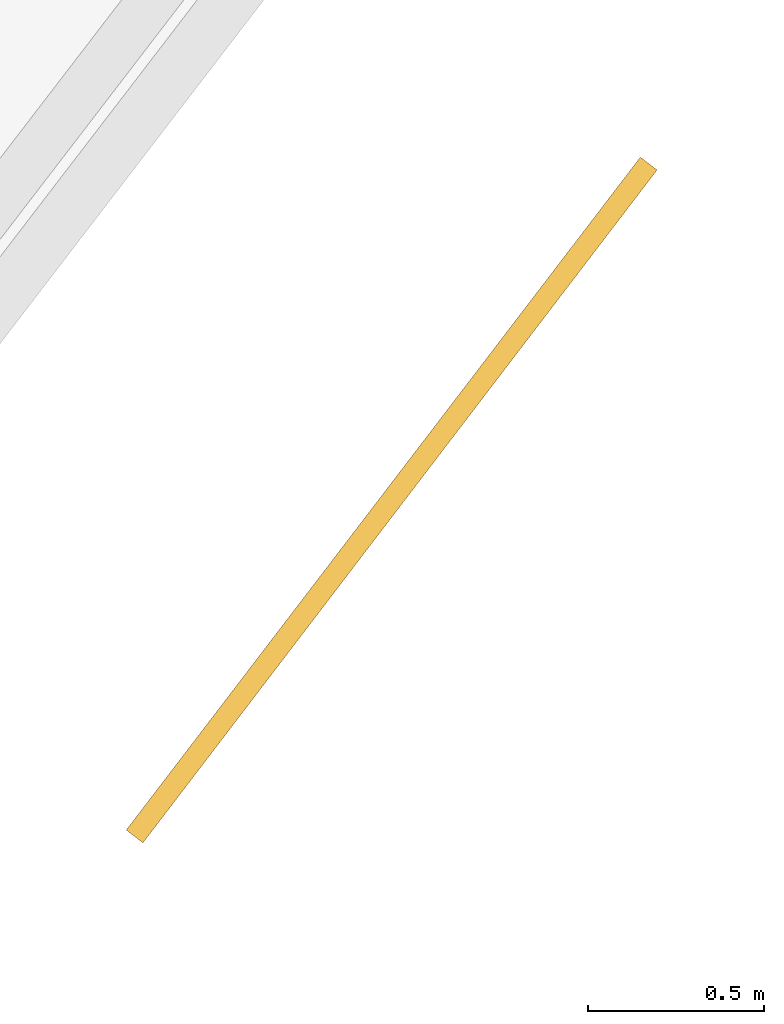
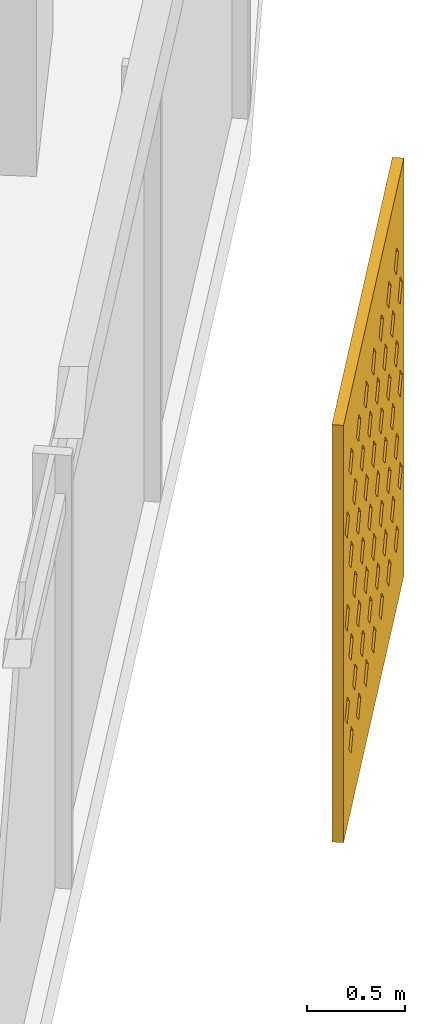
# One storey, part 31 of 31: 1 shading device.
"""IFC4 building model written with IfcOpenShell, lengths in metres."""

from ifc_helpers import new_model, si_unit, direction, frame, origin, place, context, subcontext, project, spatial, polyline, outline, extrude, material, material_profile, profile_set, type_object, element, save


model = new_model("IFC4")

# Units and contexts
model_context = context("Model", 3, precision=1e-05, world=origin(), true_north=direction((0.0, 1.0)))
body_context = subcontext(model_context, "Body", "Model", "MODEL_VIEW")
ifc_project = project(units=[si_unit("LENGTHUNIT", "METRE"), si_unit("AREAUNIT", "SQUARE_METRE"), si_unit("VOLUMEUNIT", "CUBIC_METRE"), si_unit("PLANEANGLEUNIT", "RADIAN"), si_unit("MASSUNIT", "GRAM", prefix="KILO")], contexts=[model_context])

# Site, building, storey
site_placement = place(None, origin())
site = spatial("IfcSite", under=ifc_project, at=site_placement, CompositionType="ELEMENT")
building_placement = place(site_placement, origin())
building = spatial("IfcBuilding", under=site, at=building_placement, Name="Qamariyya Broadcast Tower", CompositionType="ELEMENT")
storey_placement = place(building_placement, frame((0.0, 0.0, 74.699951171875)))
storey = spatial("IfcBuildingStorey", under=building, at=storey_placement, Name="L15", CompositionType="ELEMENT", Elevation=74.699951171875)

# Shading device
ifc_material = material(Name="Perforated glazed terracotta", Category="masonry")
ifc_material_profile = material_profile(ifc_material, outline(polyline([(-1.199951171875, -1.300048828125), (1.199951171875, -1.300048828125), (1.199951171875, 1.300048828125), (-1.199951171875, 1.300048828125), (-1.199951171875, -1.300048828125)]), holes=[polyline([(-0.81494140625, -0.86669921875), (-0.89990234375, -0.78173828125), (-0.985107421875, -0.86669921875), (-0.89990234375, -0.95166015625), (-0.81494140625, -0.86669921875)]), polyline([(-0.514892578125, -0.86669921875), (-0.60009765625, -0.78173828125), (-0.68505859375, -0.86669921875), (-0.60009765625, -0.95166015625), (-0.514892578125, -0.86669921875)]), polyline([(-0.215087890625, -0.86669921875), (-0.300048828125, -0.78173828125), (-0.385009765625, -0.86669921875), (-0.300048828125, -0.95166015625), (-0.215087890625, -0.86669921875)]), polyline([(0.0849609375, -0.86669921875), (0.0, -0.78173828125), (-0.0849609375, -0.86669921875), (0.0, -0.95166015625), (0.0849609375, -0.86669921875)]), polyline([(0.385009765625, -0.86669921875), (0.300048828125, -0.78173828125), (0.215087890625, -0.86669921875), (0.300048828125, -0.95166015625), (0.385009765625, -0.86669921875)]), polyline([(0.68505859375, -0.86669921875), (0.60009765625, -0.78173828125), (0.514892578125, -0.86669921875), (0.60009765625, -0.95166015625), (0.68505859375, -0.86669921875)]), polyline([(0.985107421875, -0.86669921875), (0.89990234375, -0.78173828125), (0.81494140625, -0.86669921875), (0.89990234375, -0.95166015625), (0.985107421875, -0.86669921875)]), polyline([(-0.965087890625, -0.577880859375), (-1.050048828125, -0.49267578125), (-1.135009765625, -0.577880859375), (-1.050048828125, -0.662841796875), (-0.965087890625, -0.577880859375)]), polyline([(-0.6650390625, -0.577880859375), (-0.75, -0.49267578125), (-0.8349609375, -0.577880859375), (-0.75, -0.662841796875), (-0.6650390625, -0.577880859375)]), polyline([(-0.364990234375, -0.577880859375), (-0.449951171875, -0.49267578125), (-0.534912109375, -0.577880859375), (-0.449951171875, -0.662841796875), (-0.364990234375, -0.577880859375)]), polyline([(-0.06494140625, -0.577880859375), (-0.14990234375, -0.49267578125), (-0.235107421875, -0.577880859375), (-0.14990234375, -0.662841796875), (-0.06494140625, -0.577880859375)]), polyline([(0.235107421875, -0.577880859375), (0.14990234375, -0.49267578125), (0.06494140625, -0.577880859375), (0.14990234375, -0.662841796875), (0.235107421875, -0.577880859375)]), polyline([(0.534912109375, -0.577880859375), (0.449951171875, -0.49267578125), (0.364990234375, -0.577880859375), (0.449951171875, -0.662841796875), (0.534912109375, -0.577880859375)]), polyline([(0.8349609375, -0.577880859375), (0.75, -0.49267578125), (0.6650390625, -0.577880859375), (0.75, -0.662841796875), (0.8349609375, -0.577880859375)]), polyline([(1.135009765625, -0.577880859375), (1.050048828125, -0.49267578125), (0.965087890625, -0.577880859375), (1.050048828125, -0.662841796875), (1.135009765625, -0.577880859375)]), polyline([(-0.81494140625, -0.288818359375), (-0.89990234375, -0.203857421875), (-0.985107421875, -0.288818359375), (-0.89990234375, -0.373779296875), (-0.81494140625, -0.288818359375)]), polyline([(-0.514892578125, -0.288818359375), (-0.60009765625, -0.203857421875), (-0.68505859375, -0.288818359375), (-0.60009765625, -0.373779296875), (-0.514892578125, -0.288818359375)]), polyline([(-0.215087890625, -0.288818359375), (-0.300048828125, -0.203857421875), (-0.385009765625, -0.288818359375), (-0.300048828125, -0.373779296875), (-0.215087890625, -0.288818359375)]), polyline([(0.0849609375, -0.288818359375), (0.0, -0.203857421875), (-0.0849609375, -0.288818359375), (0.0, -0.373779296875), (0.0849609375, -0.288818359375)]), polyline([(0.385009765625, -0.288818359375), (0.300048828125, -0.203857421875), (0.215087890625, -0.288818359375), (0.300048828125, -0.373779296875), (0.385009765625, -0.288818359375)]), polyline([(0.68505859375, -0.288818359375), (0.60009765625, -0.203857421875), (0.514892578125, -0.288818359375), (0.60009765625, -0.373779296875), (0.68505859375, -0.288818359375)]), polyline([(0.985107421875, -0.288818359375), (0.89990234375, -0.203857421875), (0.81494140625, -0.288818359375), (0.89990234375, -0.373779296875), (0.985107421875, -0.288818359375)]), polyline([(-0.965087890625, 0.0), (-1.050048828125, 0.0849609375), (-1.135009765625, 0.0), (-1.050048828125, -0.0849609375), (-0.965087890625, 0.0)]), polyline([(-0.6650390625, 0.0), (-0.75, 0.0849609375), (-0.8349609375, 0.0), (-0.75, -0.0849609375), (-0.6650390625, 0.0)]), polyline([(-0.364990234375, 0.0), (-0.449951171875, 0.0849609375), (-0.534912109375, 0.0), (-0.449951171875, -0.0849609375), (-0.364990234375, 0.0)]), polyline([(-0.06494140625, 0.0), (-0.14990234375, 0.0849609375), (-0.235107421875, 0.0), (-0.14990234375, -0.0849609375), (-0.06494140625, 0.0)]), polyline([(0.235107421875, 0.0), (0.14990234375, 0.0849609375), (0.06494140625, 0.0), (0.14990234375, -0.0849609375), (0.235107421875, 0.0)]), polyline([(0.534912109375, 0.0), (0.449951171875, 0.0849609375), (0.364990234375, 0.0), (0.449951171875, -0.0849609375), (0.534912109375, 0.0)]), polyline([(0.8349609375, 0.0), (0.75, 0.0849609375), (0.6650390625, 0.0), (0.75, -0.0849609375), (0.8349609375, 0.0)]), polyline([(1.135009765625, 0.0), (1.050048828125, 0.0849609375), (0.965087890625, 0.0), (1.050048828125, -0.0849609375), (1.135009765625, 0.0)]), polyline([(-0.81494140625, 0.288818359375), (-0.89990234375, 0.373779296875), (-0.985107421875, 0.288818359375), (-0.89990234375, 0.203857421875), (-0.81494140625, 0.288818359375)]), polyline([(-0.514892578125, 0.288818359375), (-0.60009765625, 0.373779296875), (-0.68505859375, 0.288818359375), (-0.60009765625, 0.203857421875), (-0.514892578125, 0.288818359375)]), polyline([(-0.215087890625, 0.288818359375), (-0.300048828125, 0.373779296875), (-0.385009765625, 0.288818359375), (-0.300048828125, 0.203857421875), (-0.215087890625, 0.288818359375)]), polyline([(0.0849609375, 0.288818359375), (0.0, 0.373779296875), (-0.0849609375, 0.288818359375), (0.0, 0.203857421875), (0.0849609375, 0.288818359375)]), polyline([(0.385009765625, 0.288818359375), (0.300048828125, 0.373779296875), (0.215087890625, 0.288818359375), (0.300048828125, 0.203857421875), (0.385009765625, 0.288818359375)]), polyline([(0.68505859375, 0.288818359375), (0.60009765625, 0.373779296875), (0.514892578125, 0.288818359375), (0.60009765625, 0.203857421875), (0.68505859375, 0.288818359375)]), polyline([(0.985107421875, 0.288818359375), (0.89990234375, 0.373779296875), (0.81494140625, 0.288818359375), (0.89990234375, 0.203857421875), (0.985107421875, 0.288818359375)]), polyline([(-0.965087890625, 0.577880859375), (-1.050048828125, 0.662841796875), (-1.135009765625, 0.577880859375), (-1.050048828125, 0.49267578125), (-0.965087890625, 0.577880859375)]), polyline([(-0.6650390625, 0.577880859375), (-0.75, 0.662841796875), (-0.8349609375, 0.577880859375), (-0.75, 0.49267578125), (-0.6650390625, 0.577880859375)]), polyline([(-0.364990234375, 0.577880859375), (-0.449951171875, 0.662841796875), (-0.534912109375, 0.577880859375), (-0.449951171875, 0.49267578125), (-0.364990234375, 0.577880859375)]), polyline([(-0.06494140625, 0.577880859375), (-0.14990234375, 0.662841796875), (-0.235107421875, 0.577880859375), (-0.14990234375, 0.49267578125), (-0.06494140625, 0.577880859375)]), polyline([(0.235107421875, 0.577880859375), (0.14990234375, 0.662841796875), (0.06494140625, 0.577880859375), (0.14990234375, 0.49267578125), (0.235107421875, 0.577880859375)]), polyline([(0.534912109375, 0.577880859375), (0.449951171875, 0.662841796875), (0.364990234375, 0.577880859375), (0.449951171875, 0.49267578125), (0.534912109375, 0.577880859375)]), polyline([(0.8349609375, 0.577880859375), (0.75, 0.662841796875), (0.6650390625, 0.577880859375), (0.75, 0.49267578125), (0.8349609375, 0.577880859375)]), polyline([(1.135009765625, 0.577880859375), (1.050048828125, 0.662841796875), (0.965087890625, 0.577880859375), (1.050048828125, 0.49267578125), (1.135009765625, 0.577880859375)]), polyline([(-0.81494140625, 0.86669921875), (-0.89990234375, 0.95166015625), (-0.985107421875, 0.86669921875), (-0.89990234375, 0.78173828125), (-0.81494140625, 0.86669921875)]), polyline([(-0.514892578125, 0.86669921875), (-0.60009765625, 0.95166015625), (-0.68505859375, 0.86669921875), (-0.60009765625, 0.78173828125), (-0.514892578125, 0.86669921875)]), polyline([(-0.215087890625, 0.86669921875), (-0.300048828125, 0.95166015625), (-0.385009765625, 0.86669921875), (-0.300048828125, 0.78173828125), (-0.215087890625, 0.86669921875)]), polyline([(0.0849609375, 0.86669921875), (0.0, 0.95166015625), (-0.0849609375, 0.86669921875), (0.0, 0.78173828125), (0.0849609375, 0.86669921875)]), polyline([(0.385009765625, 0.86669921875), (0.300048828125, 0.95166015625), (0.215087890625, 0.86669921875), (0.300048828125, 0.78173828125), (0.385009765625, 0.86669921875)]), polyline([(0.68505859375, 0.86669921875), (0.60009765625, 0.95166015625), (0.514892578125, 0.86669921875), (0.60009765625, 0.78173828125), (0.68505859375, 0.86669921875)]), polyline([(0.985107421875, 0.86669921875), (0.89990234375, 0.95166015625), (0.81494140625, 0.86669921875), (0.89990234375, 0.78173828125), (0.985107421875, 0.86669921875)])]))
ifc_profile_set = profile_set([ifc_material_profile], Name="Perforated glazed terracotta")
shading_device_type = type_object("IfcShadingDeviceType", Name="Perforated terracotta screen 2400 x 2600", PredefinedType="USERDEFINED", material=ifc_profile_set)
shading_device_placement = place(storey_placement, frame((64.031005859375, -49.19873046875, 1.35009765625), z_axis=(0.794589096806, -0.607147566278, 0.0), x_axis=(0.607147566278, 0.794589096806, 0.0)))
element("IfcShadingDevice", 1, at=shading_device_placement, inside=storey, type_object=shading_device_type, Name="e-scr-L15-15-1", ObjectType="SCREEN", PredefinedType="USERDEFINED", context=body_context, shape_type="SweptSolid", body=[
    extrude(outline(polyline([(-1.199951171875, -1.300048828125), (1.199951171875, -1.300048828125), (1.199951171875, 1.300048828125), (-1.199951171875, 1.300048828125), (-1.199951171875, -1.300048828125)]), holes=[polyline([(-0.81494140625, -0.86669921875), (-0.89990234375, -0.78173828125), (-0.985107421875, -0.86669921875), (-0.89990234375, -0.95166015625), (-0.81494140625, -0.86669921875)]), polyline([(-0.514892578125, -0.86669921875), (-0.60009765625, -0.78173828125), (-0.68505859375, -0.86669921875), (-0.60009765625, -0.95166015625), (-0.514892578125, -0.86669921875)]), polyline([(-0.215087890625, -0.86669921875), (-0.300048828125, -0.78173828125), (-0.385009765625, -0.86669921875), (-0.300048828125, -0.95166015625), (-0.215087890625, -0.86669921875)]), polyline([(0.0849609375, -0.86669921875), (0.0, -0.78173828125), (-0.0849609375, -0.86669921875), (0.0, -0.95166015625), (0.0849609375, -0.86669921875)]), polyline([(0.385009765625, -0.86669921875), (0.300048828125, -0.78173828125), (0.215087890625, -0.86669921875), (0.300048828125, -0.95166015625), (0.385009765625, -0.86669921875)]), polyline([(0.68505859375, -0.86669921875), (0.60009765625, -0.78173828125), (0.514892578125, -0.86669921875), (0.60009765625, -0.95166015625), (0.68505859375, -0.86669921875)]), polyline([(0.985107421875, -0.86669921875), (0.89990234375, -0.78173828125), (0.81494140625, -0.86669921875), (0.89990234375, -0.95166015625), (0.985107421875, -0.86669921875)]), polyline([(-0.965087890625, -0.577880859375), (-1.050048828125, -0.49267578125), (-1.135009765625, -0.577880859375), (-1.050048828125, -0.662841796875), (-0.965087890625, -0.577880859375)]), polyline([(-0.6650390625, -0.577880859375), (-0.75, -0.49267578125), (-0.8349609375, -0.577880859375), (-0.75, -0.662841796875), (-0.6650390625, -0.577880859375)]), polyline([(-0.364990234375, -0.577880859375), (-0.449951171875, -0.49267578125), (-0.534912109375, -0.577880859375), (-0.449951171875, -0.662841796875), (-0.364990234375, -0.577880859375)]), polyline([(-0.06494140625, -0.577880859375), (-0.14990234375, -0.49267578125), (-0.235107421875, -0.577880859375), (-0.14990234375, -0.662841796875), (-0.06494140625, -0.577880859375)]), polyline([(0.235107421875, -0.577880859375), (0.14990234375, -0.49267578125), (0.06494140625, -0.577880859375), (0.14990234375, -0.662841796875), (0.235107421875, -0.577880859375)]), polyline([(0.534912109375, -0.577880859375), (0.449951171875, -0.49267578125), (0.364990234375, -0.577880859375), (0.449951171875, -0.662841796875), (0.534912109375, -0.577880859375)]), polyline([(0.8349609375, -0.577880859375), (0.75, -0.49267578125), (0.6650390625, -0.577880859375), (0.75, -0.662841796875), (0.8349609375, -0.577880859375)]), polyline([(1.135009765625, -0.577880859375), (1.050048828125, -0.49267578125), (0.965087890625, -0.577880859375), (1.050048828125, -0.662841796875), (1.135009765625, -0.577880859375)]), polyline([(-0.81494140625, -0.288818359375), (-0.89990234375, -0.203857421875), (-0.985107421875, -0.288818359375), (-0.89990234375, -0.373779296875), (-0.81494140625, -0.288818359375)]), polyline([(-0.514892578125, -0.288818359375), (-0.60009765625, -0.203857421875), (-0.68505859375, -0.288818359375), (-0.60009765625, -0.373779296875), (-0.514892578125, -0.288818359375)]), polyline([(-0.215087890625, -0.288818359375), (-0.300048828125, -0.203857421875), (-0.385009765625, -0.288818359375), (-0.300048828125, -0.373779296875), (-0.215087890625, -0.288818359375)]), polyline([(0.0849609375, -0.288818359375), (0.0, -0.203857421875), (-0.0849609375, -0.288818359375), (0.0, -0.373779296875), (0.0849609375, -0.288818359375)]), polyline([(0.385009765625, -0.288818359375), (0.300048828125, -0.203857421875), (0.215087890625, -0.288818359375), (0.300048828125, -0.373779296875), (0.385009765625, -0.288818359375)]), polyline([(0.68505859375, -0.288818359375), (0.60009765625, -0.203857421875), (0.514892578125, -0.288818359375), (0.60009765625, -0.373779296875), (0.68505859375, -0.288818359375)]), polyline([(0.985107421875, -0.288818359375), (0.89990234375, -0.203857421875), (0.81494140625, -0.288818359375), (0.89990234375, -0.373779296875), (0.985107421875, -0.288818359375)]), polyline([(-0.965087890625, 0.0), (-1.050048828125, 0.0849609375), (-1.135009765625, 0.0), (-1.050048828125, -0.0849609375), (-0.965087890625, 0.0)]), polyline([(-0.6650390625, 0.0), (-0.75, 0.0849609375), (-0.8349609375, 0.0), (-0.75, -0.0849609375), (-0.6650390625, 0.0)]), polyline([(-0.364990234375, 0.0), (-0.449951171875, 0.0849609375), (-0.534912109375, 0.0), (-0.449951171875, -0.0849609375), (-0.364990234375, 0.0)]), polyline([(-0.06494140625, 0.0), (-0.14990234375, 0.0849609375), (-0.235107421875, 0.0), (-0.14990234375, -0.0849609375), (-0.06494140625, 0.0)]), polyline([(0.235107421875, 0.0), (0.14990234375, 0.0849609375), (0.06494140625, 0.0), (0.14990234375, -0.0849609375), (0.235107421875, 0.0)]), polyline([(0.534912109375, 0.0), (0.449951171875, 0.0849609375), (0.364990234375, 0.0), (0.449951171875, -0.0849609375), (0.534912109375, 0.0)]), polyline([(0.8349609375, 0.0), (0.75, 0.0849609375), (0.6650390625, 0.0), (0.75, -0.0849609375), (0.8349609375, 0.0)]), polyline([(1.135009765625, 0.0), (1.050048828125, 0.0849609375), (0.965087890625, 0.0), (1.050048828125, -0.0849609375), (1.135009765625, 0.0)]), polyline([(-0.81494140625, 0.288818359375), (-0.89990234375, 0.373779296875), (-0.985107421875, 0.288818359375), (-0.89990234375, 0.203857421875), (-0.81494140625, 0.288818359375)]), polyline([(-0.514892578125, 0.288818359375), (-0.60009765625, 0.373779296875), (-0.68505859375, 0.288818359375), (-0.60009765625, 0.203857421875), (-0.514892578125, 0.288818359375)]), polyline([(-0.215087890625, 0.288818359375), (-0.300048828125, 0.373779296875), (-0.385009765625, 0.288818359375), (-0.300048828125, 0.203857421875), (-0.215087890625, 0.288818359375)]), polyline([(0.0849609375, 0.288818359375), (0.0, 0.373779296875), (-0.0849609375, 0.288818359375), (0.0, 0.203857421875), (0.0849609375, 0.288818359375)]), polyline([(0.385009765625, 0.288818359375), (0.300048828125, 0.373779296875), (0.215087890625, 0.288818359375), (0.300048828125, 0.203857421875), (0.385009765625, 0.288818359375)]), polyline([(0.68505859375, 0.288818359375), (0.60009765625, 0.373779296875), (0.514892578125, 0.288818359375), (0.60009765625, 0.203857421875), (0.68505859375, 0.288818359375)]), polyline([(0.985107421875, 0.288818359375), (0.89990234375, 0.373779296875), (0.81494140625, 0.288818359375), (0.89990234375, 0.203857421875), (0.985107421875, 0.288818359375)]), polyline([(-0.965087890625, 0.577880859375), (-1.050048828125, 0.662841796875), (-1.135009765625, 0.577880859375), (-1.050048828125, 0.49267578125), (-0.965087890625, 0.577880859375)]), polyline([(-0.6650390625, 0.577880859375), (-0.75, 0.662841796875), (-0.8349609375, 0.577880859375), (-0.75, 0.49267578125), (-0.6650390625, 0.577880859375)]), polyline([(-0.364990234375, 0.577880859375), (-0.449951171875, 0.662841796875), (-0.534912109375, 0.577880859375), (-0.449951171875, 0.49267578125), (-0.364990234375, 0.577880859375)]), polyline([(-0.06494140625, 0.577880859375), (-0.14990234375, 0.662841796875), (-0.235107421875, 0.577880859375), (-0.14990234375, 0.49267578125), (-0.06494140625, 0.577880859375)]), polyline([(0.235107421875, 0.577880859375), (0.14990234375, 0.662841796875), (0.06494140625, 0.577880859375), (0.14990234375, 0.49267578125), (0.235107421875, 0.577880859375)]), polyline([(0.534912109375, 0.577880859375), (0.449951171875, 0.662841796875), (0.364990234375, 0.577880859375), (0.449951171875, 0.49267578125), (0.534912109375, 0.577880859375)]), polyline([(0.8349609375, 0.577880859375), (0.75, 0.662841796875), (0.6650390625, 0.577880859375), (0.75, 0.49267578125), (0.8349609375, 0.577880859375)]), polyline([(1.135009765625, 0.577880859375), (1.050048828125, 0.662841796875), (0.965087890625, 0.577880859375), (1.050048828125, 0.49267578125), (1.135009765625, 0.577880859375)]), polyline([(-0.81494140625, 0.86669921875), (-0.89990234375, 0.95166015625), (-0.985107421875, 0.86669921875), (-0.89990234375, 0.78173828125), (-0.81494140625, 0.86669921875)]), polyline([(-0.514892578125, 0.86669921875), (-0.60009765625, 0.95166015625), (-0.68505859375, 0.86669921875), (-0.60009765625, 0.78173828125), (-0.514892578125, 0.86669921875)]), polyline([(-0.215087890625, 0.86669921875), (-0.300048828125, 0.95166015625), (-0.385009765625, 0.86669921875), (-0.300048828125, 0.78173828125), (-0.215087890625, 0.86669921875)]), polyline([(0.0849609375, 0.86669921875), (0.0, 0.95166015625), (-0.0849609375, 0.86669921875), (0.0, 0.78173828125), (0.0849609375, 0.86669921875)]), polyline([(0.385009765625, 0.86669921875), (0.300048828125, 0.95166015625), (0.215087890625, 0.86669921875), (0.300048828125, 0.78173828125), (0.385009765625, 0.86669921875)]), polyline([(0.68505859375, 0.86669921875), (0.60009765625, 0.95166015625), (0.514892578125, 0.86669921875), (0.60009765625, 0.78173828125), (0.68505859375, 0.86669921875)]), polyline([(0.985107421875, 0.86669921875), (0.89990234375, 0.95166015625), (0.81494140625, 0.86669921875), (0.89990234375, 0.78173828125), (0.985107421875, 0.86669921875)])]), origin(), (0.0, 0.0, 1.0), 0.059814453125),
])

save(model, "model.ifc")
